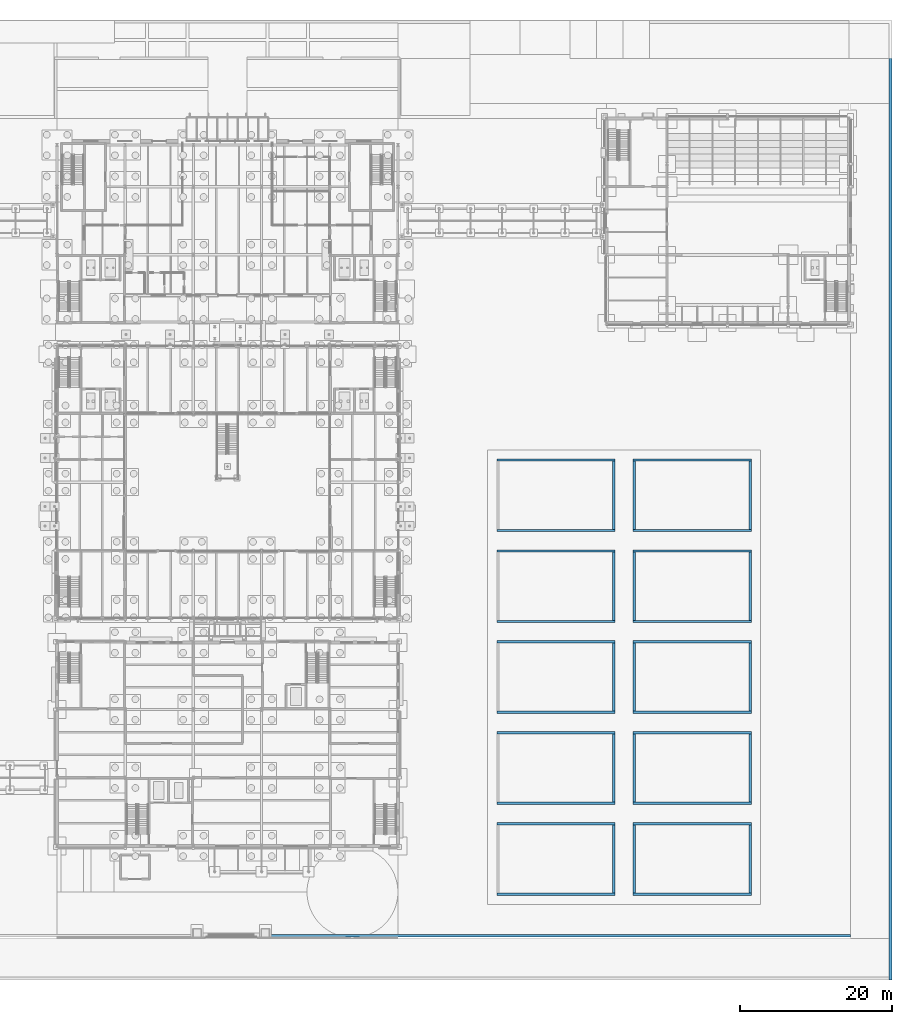
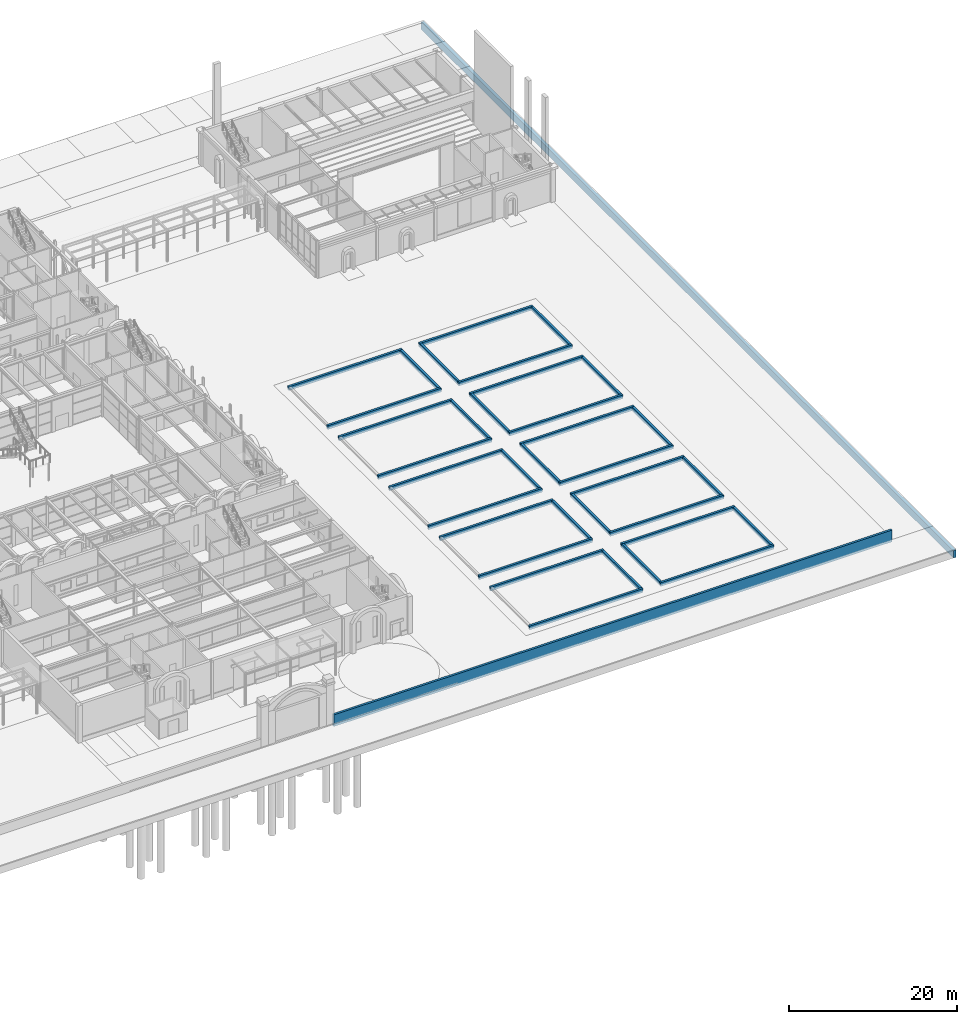
# One storey, part 83 of 126: 37 walls.
"""IFC4 building model written with IfcOpenShell, lengths in metres."""

from ifc_helpers import new_model, si_unit, direction, frame, frame_2d, origin, place, context, subcontext, project, spatial, rectangle, extrude, material, layer, layer_set, type_object, element, save


model = new_model("IFC4")

# Units and contexts
model_context = context("Model", 3, precision=1e-05, world=origin(), true_north=direction((0.0, 1.0)))
body_context = subcontext(model_context, "Body", "Model", "MODEL_VIEW")
ifc_project = project(units=[si_unit("LENGTHUNIT", "METRE"), si_unit("AREAUNIT", "SQUARE_METRE"), si_unit("VOLUMEUNIT", "CUBIC_METRE"), si_unit("PLANEANGLEUNIT", "RADIAN"), si_unit("MASSUNIT", "GRAM", prefix="KILO")], contexts=[model_context])

# Site, building, storey
site_placement = place(None, origin())
site = spatial("IfcSite", under=ifc_project, at=site_placement, CompositionType="ELEMENT")
building_placement = place(site_placement, origin())
building = spatial("IfcBuilding", under=site, at=building_placement, Name="Kallimachos Central Library", CompositionType="ELEMENT")
storey_placement = place(building_placement, origin())
storey = spatial("IfcBuildingStorey", under=building, at=storey_placement, Name="L00", CompositionType="ELEMENT", Elevation=0.0)

# Walls
ifc_material_1 = material(Name="Pentelic marble masonry", Category="masonry")
ifc_layer_1 = layer(ifc_material_1, 0.300048828125)
ifc_layer_set_1 = layer_set([ifc_layer_1], Name="Boundary stone wall 300")
wall_type_1 = type_object("IfcWallType", Name="Boundary stone wall 300", PredefinedType="SOLIDWALL", material=ifc_layer_set_1)
wall_1_placement = place(storey_placement, frame((93.5, 6.14990234375, -0.5), z_axis=(0.0, 0.0, 1.0), x_axis=(1.0, 0.0, 0.0)))
element("IfcWall", 1, at=wall_1_placement, inside=storey, type_object=wall_type_1, Name="South street wall", PredefinedType="SOLIDWALL", context=body_context, shape_type="SweptSolid", body=[
    extrude(rectangle(XDim=76.699951171875, YDim=0.300048828125, at=frame_2d((38.35009765625, 0.0))), origin(), (0.0, 0.0, 1.0), 1.699951171875),
])
ifc_material_2 = material(Name="Granite kerb stone", Category="masonry")
ifc_layer_2 = layer(ifc_material_2, 0.300048828125)
ifc_layer_set_2 = layer_set([ifc_layer_2], Name="Granite kerb 300")
wall_type_2 = type_object("IfcWallType", Name="Granite kerb 300", PredefinedType="SOLIDWALL", material=ifc_layer_set_2)
for number, where, z_axis, x_axis, name in (
    (2, (123.550048828125, 11.625, -0.300048828125), (0.0, 0.0, 1.0), (1.0, 0.0, 0.0), "Garden bed kerb south 122-10"),
    (3, (123.550048828125, 20.925048828125, -0.300048828125), (0.0, 0.0, 1.0), (1.0, 0.0, 0.0), "Garden bed kerb north 122-10"),
):
    element("IfcWall", number, at=place(storey_placement, frame(where, z_axis=z_axis, x_axis=x_axis)), inside=storey, type_object=wall_type_2, Name=name, PredefinedType="SOLIDWALL", context=body_context, shape_type="SweptSolid", body=[
        extrude(rectangle(XDim=15.599853515625, YDim=0.300048828125, at=frame_2d((7.7998046875, 0.0))), origin(), (0.0, 0.0, 1.0), 0.550048828125),
    ])
wall_2_placement = place(storey_placement, frame((139.0, 11.77490234375, -0.300048828125), z_axis=(0.0, 0.0, 1.0), x_axis=(0.0, 1.0, 0.0)))
element("IfcWall", 4, at=wall_2_placement, inside=storey, type_object=wall_type_2, Name="Garden bed kerb east 122-10", PredefinedType="SOLIDWALL", context=body_context, shape_type="SweptSolid", body=[
    extrude(rectangle(XDim=9.0, YDim=0.300048828125, at=frame_2d((4.5, 0.0))), origin(), (0.0, 0.0, 1.0), 0.550048828125),
])
for number, where, z_axis, x_axis, name in (
    (5, (123.550048828125, 23.625, -0.300048828125), (0.0, 0.0, 1.0), (1.0, 0.0, 0.0), "Garden bed kerb south 122-22"),
    (6, (123.550048828125, 32.925048828125, -0.300048828125), (0.0, 0.0, 1.0), (1.0, 0.0, 0.0), "Garden bed kerb north 122-22"),
):
    element("IfcWall", number, at=place(storey_placement, frame(where, z_axis=z_axis, x_axis=x_axis)), inside=storey, type_object=wall_type_2, Name=name, PredefinedType="SOLIDWALL", context=body_context, shape_type="SweptSolid", body=[
        extrude(rectangle(XDim=15.599853515625, YDim=0.300048828125, at=frame_2d((7.7998046875, 0.0))), origin(), (0.0, 0.0, 1.0), 0.550048828125),
    ])
wall_3_placement = place(storey_placement, frame((139.0, 23.77490234375, -0.300048828125), z_axis=(0.0, 0.0, 1.0), x_axis=(0.0, 1.0, 0.0)))
element("IfcWall", 7, at=wall_3_placement, inside=storey, type_object=wall_type_2, Name="Garden bed kerb east 122-22", PredefinedType="SOLIDWALL", context=body_context, shape_type="SweptSolid", body=[
    extrude(rectangle(XDim=9.0, YDim=0.300048828125, at=frame_2d((4.5, 0.0))), origin(), (0.0, 0.0, 1.0), 0.550048828125),
])
for number, where, z_axis, x_axis, name in (
    (8, (123.550048828125, 35.625, -0.300048828125), (0.0, 0.0, 1.0), (1.0, 0.0, 0.0), "Garden bed kerb south 122-34"),
    (9, (123.550048828125, 44.925048828125, -0.300048828125), (0.0, 0.0, 1.0), (1.0, 0.0, 0.0), "Garden bed kerb north 122-34"),
):
    element("IfcWall", number, at=place(storey_placement, frame(where, z_axis=z_axis, x_axis=x_axis)), inside=storey, type_object=wall_type_2, Name=name, PredefinedType="SOLIDWALL", context=body_context, shape_type="SweptSolid", body=[
        extrude(rectangle(XDim=15.599853515625, YDim=0.300048828125, at=frame_2d((7.7998046875, 0.0))), origin(), (0.0, 0.0, 1.0), 0.550048828125),
    ])
wall_4_placement = place(storey_placement, frame((139.0, 35.77490234375, -0.300048828125), z_axis=(0.0, 0.0, 1.0), x_axis=(0.0, 1.0, 0.0)))
element("IfcWall", 10, at=wall_4_placement, inside=storey, type_object=wall_type_2, Name="Garden bed kerb east 122-34", PredefinedType="SOLIDWALL", context=body_context, shape_type="SweptSolid", body=[
    extrude(rectangle(XDim=9.0, YDim=0.300048828125, at=frame_2d((4.5, 0.0))), origin(), (0.0, 0.0, 1.0), 0.550048828125),
])
for number, where, z_axis, x_axis, name in (
    (11, (123.550048828125, 47.625, -0.300048828125), (0.0, 0.0, 1.0), (1.0, 0.0, 0.0), "Garden bed kerb south 122-46"),
    (12, (123.550048828125, 56.925048828125, -0.300048828125), (0.0, 0.0, 1.0), (1.0, 0.0, 0.0), "Garden bed kerb north 122-46"),
):
    element("IfcWall", number, at=place(storey_placement, frame(where, z_axis=z_axis, x_axis=x_axis)), inside=storey, type_object=wall_type_2, Name=name, PredefinedType="SOLIDWALL", context=body_context, shape_type="SweptSolid", body=[
        extrude(rectangle(XDim=15.599853515625, YDim=0.300048828125, at=frame_2d((7.7998046875, 0.0))), origin(), (0.0, 0.0, 1.0), 0.550048828125),
    ])
wall_5_placement = place(storey_placement, frame((139.0, 47.77490234375, -0.300048828125), z_axis=(0.0, 0.0, 1.0), x_axis=(0.0, 1.0, 0.0)))
element("IfcWall", 13, at=wall_5_placement, inside=storey, type_object=wall_type_2, Name="Garden bed kerb east 122-46", PredefinedType="SOLIDWALL", context=body_context, shape_type="SweptSolid", body=[
    extrude(rectangle(XDim=9.0, YDim=0.300048828125, at=frame_2d((4.5, 0.0))), origin(), (0.0, 0.0, 1.0), 0.550048828125),
])
for number, where, z_axis, x_axis, name in (
    (14, (123.550048828125, 59.625, -0.300048828125), (0.0, 0.0, 1.0), (1.0, 0.0, 0.0), "Garden bed kerb south 122-58"),
    (15, (123.550048828125, 68.925048828125, -0.300048828125), (0.0, 0.0, 1.0), (1.0, 0.0, 0.0), "Garden bed kerb north 122-58"),
):
    element("IfcWall", number, at=place(storey_placement, frame(where, z_axis=z_axis, x_axis=x_axis)), inside=storey, type_object=wall_type_2, Name=name, PredefinedType="SOLIDWALL", context=body_context, shape_type="SweptSolid", body=[
        extrude(rectangle(XDim=15.599853515625, YDim=0.300048828125, at=frame_2d((7.7998046875, 0.0))), origin(), (0.0, 0.0, 1.0), 0.550048828125),
    ])
wall_6_placement = place(storey_placement, frame((139.0, 59.77490234375, -0.300048828125), z_axis=(0.0, 0.0, 1.0), x_axis=(0.0, 1.0, 0.0)))
element("IfcWall", 16, at=wall_6_placement, inside=storey, type_object=wall_type_2, Name="Garden bed kerb east 122-58", PredefinedType="SOLIDWALL", context=body_context, shape_type="SweptSolid", body=[
    extrude(rectangle(XDim=9.0, YDim=0.300048828125, at=frame_2d((4.5, 0.0))), origin(), (0.0, 0.0, 1.0), 0.550048828125),
])
for number, where, z_axis, x_axis, name in (
    (17, (141.550048828125, 11.625, -0.300048828125), (0.0, 0.0, 1.0), (1.0, 0.0, 0.0), "Garden bed kerb south 140-10"),
    (18, (141.550048828125, 20.925048828125, -0.300048828125), (0.0, 0.0, 1.0), (1.0, 0.0, 0.0), "Garden bed kerb north 140-10"),
):
    element("IfcWall", number, at=place(storey_placement, frame(where, z_axis=z_axis, x_axis=x_axis)), inside=storey, type_object=wall_type_2, Name=name, PredefinedType="SOLIDWALL", context=body_context, shape_type="SweptSolid", body=[
        extrude(rectangle(XDim=15.599853515625, YDim=0.300048828125, at=frame_2d((7.7998046875, 0.0))), origin(), (0.0, 0.0, 1.0), 0.550048828125),
    ])
for number, where, z_axis, x_axis, name in (
    (19, (141.699951171875, 11.77490234375, -0.300048828125), (0.0, 0.0, 1.0), (0.0, 1.0, 0.0), "Garden bed kerb west 140-10"),
    (20, (157.0, 11.77490234375, -0.300048828125), (0.0, 0.0, 1.0), (0.0, 1.0, 0.0), "Garden bed kerb east 140-10"),
):
    element("IfcWall", number, at=place(storey_placement, frame(where, z_axis=z_axis, x_axis=x_axis)), inside=storey, type_object=wall_type_2, Name=name, PredefinedType="SOLIDWALL", context=body_context, shape_type="SweptSolid", body=[
        extrude(rectangle(XDim=9.0, YDim=0.300048828125, at=frame_2d((4.5, 0.0))), origin(), (0.0, 0.0, 1.0), 0.550048828125),
    ])
for number, where, z_axis, x_axis, name in (
    (21, (141.550048828125, 23.625, -0.300048828125), (0.0, 0.0, 1.0), (1.0, 0.0, 0.0), "Garden bed kerb south 140-22"),
    (22, (141.550048828125, 32.925048828125, -0.300048828125), (0.0, 0.0, 1.0), (1.0, 0.0, 0.0), "Garden bed kerb north 140-22"),
):
    element("IfcWall", number, at=place(storey_placement, frame(where, z_axis=z_axis, x_axis=x_axis)), inside=storey, type_object=wall_type_2, Name=name, PredefinedType="SOLIDWALL", context=body_context, shape_type="SweptSolid", body=[
        extrude(rectangle(XDim=15.599853515625, YDim=0.300048828125, at=frame_2d((7.7998046875, 0.0))), origin(), (0.0, 0.0, 1.0), 0.550048828125),
    ])
for number, where, z_axis, x_axis, name in (
    (23, (141.699951171875, 23.77490234375, -0.300048828125), (0.0, 0.0, 1.0), (0.0, 1.0, 0.0), "Garden bed kerb west 140-22"),
    (24, (157.0, 23.77490234375, -0.300048828125), (0.0, 0.0, 1.0), (0.0, 1.0, 0.0), "Garden bed kerb east 140-22"),
):
    element("IfcWall", number, at=place(storey_placement, frame(where, z_axis=z_axis, x_axis=x_axis)), inside=storey, type_object=wall_type_2, Name=name, PredefinedType="SOLIDWALL", context=body_context, shape_type="SweptSolid", body=[
        extrude(rectangle(XDim=9.0, YDim=0.300048828125, at=frame_2d((4.5, 0.0))), origin(), (0.0, 0.0, 1.0), 0.550048828125),
    ])
for number, where, z_axis, x_axis, name in (
    (25, (141.550048828125, 35.625, -0.300048828125), (0.0, 0.0, 1.0), (1.0, 0.0, 0.0), "Garden bed kerb south 140-34"),
    (26, (141.550048828125, 44.925048828125, -0.300048828125), (0.0, 0.0, 1.0), (1.0, 0.0, 0.0), "Garden bed kerb north 140-34"),
):
    element("IfcWall", number, at=place(storey_placement, frame(where, z_axis=z_axis, x_axis=x_axis)), inside=storey, type_object=wall_type_2, Name=name, PredefinedType="SOLIDWALL", context=body_context, shape_type="SweptSolid", body=[
        extrude(rectangle(XDim=15.599853515625, YDim=0.300048828125, at=frame_2d((7.7998046875, 0.0))), origin(), (0.0, 0.0, 1.0), 0.550048828125),
    ])
for number, where, z_axis, x_axis, name in (
    (27, (141.699951171875, 35.77490234375, -0.300048828125), (0.0, 0.0, 1.0), (0.0, 1.0, 0.0), "Garden bed kerb west 140-34"),
    (28, (157.0, 35.77490234375, -0.300048828125), (0.0, 0.0, 1.0), (0.0, 1.0, 0.0), "Garden bed kerb east 140-34"),
):
    element("IfcWall", number, at=place(storey_placement, frame(where, z_axis=z_axis, x_axis=x_axis)), inside=storey, type_object=wall_type_2, Name=name, PredefinedType="SOLIDWALL", context=body_context, shape_type="SweptSolid", body=[
        extrude(rectangle(XDim=9.0, YDim=0.300048828125, at=frame_2d((4.5, 0.0))), origin(), (0.0, 0.0, 1.0), 0.550048828125),
    ])
for number, where, z_axis, x_axis, name in (
    (29, (141.550048828125, 47.625, -0.300048828125), (0.0, 0.0, 1.0), (1.0, 0.0, 0.0), "Garden bed kerb south 140-46"),
    (30, (141.550048828125, 56.925048828125, -0.300048828125), (0.0, 0.0, 1.0), (1.0, 0.0, 0.0), "Garden bed kerb north 140-46"),
):
    element("IfcWall", number, at=place(storey_placement, frame(where, z_axis=z_axis, x_axis=x_axis)), inside=storey, type_object=wall_type_2, Name=name, PredefinedType="SOLIDWALL", context=body_context, shape_type="SweptSolid", body=[
        extrude(rectangle(XDim=15.599853515625, YDim=0.300048828125, at=frame_2d((7.7998046875, 0.0))), origin(), (0.0, 0.0, 1.0), 0.550048828125),
    ])
for number, where, z_axis, x_axis, name in (
    (31, (141.699951171875, 47.77490234375, -0.300048828125), (0.0, 0.0, 1.0), (0.0, 1.0, 0.0), "Garden bed kerb west 140-46"),
    (32, (157.0, 47.77490234375, -0.300048828125), (0.0, 0.0, 1.0), (0.0, 1.0, 0.0), "Garden bed kerb east 140-46"),
):
    element("IfcWall", number, at=place(storey_placement, frame(where, z_axis=z_axis, x_axis=x_axis)), inside=storey, type_object=wall_type_2, Name=name, PredefinedType="SOLIDWALL", context=body_context, shape_type="SweptSolid", body=[
        extrude(rectangle(XDim=9.0, YDim=0.300048828125, at=frame_2d((4.5, 0.0))), origin(), (0.0, 0.0, 1.0), 0.550048828125),
    ])
for number, where, z_axis, x_axis, name in (
    (33, (141.550048828125, 59.625, -0.300048828125), (0.0, 0.0, 1.0), (1.0, 0.0, 0.0), "Garden bed kerb south 140-58"),
    (34, (141.550048828125, 68.925048828125, -0.300048828125), (0.0, 0.0, 1.0), (1.0, 0.0, 0.0), "Garden bed kerb north 140-58"),
):
    element("IfcWall", number, at=place(storey_placement, frame(where, z_axis=z_axis, x_axis=x_axis)), inside=storey, type_object=wall_type_2, Name=name, PredefinedType="SOLIDWALL", context=body_context, shape_type="SweptSolid", body=[
        extrude(rectangle(XDim=15.599853515625, YDim=0.300048828125, at=frame_2d((7.7998046875, 0.0))), origin(), (0.0, 0.0, 1.0), 0.550048828125),
    ])
for number, where, z_axis, x_axis, name in (
    (35, (141.699951171875, 59.77490234375, -0.300048828125), (0.0, 0.0, 1.0), (0.0, 1.0, 0.0), "Garden bed kerb west 140-58"),
    (36, (157.0, 59.77490234375, -0.300048828125), (0.0, 0.0, 1.0), (0.0, 1.0, 0.0), "Garden bed kerb east 140-58"),
):
    element("IfcWall", number, at=place(storey_placement, frame(where, z_axis=z_axis, x_axis=x_axis)), inside=storey, type_object=wall_type_2, Name=name, PredefinedType="SOLIDWALL", context=body_context, shape_type="SweptSolid", body=[
        extrude(rectangle(XDim=9.0, YDim=0.300048828125, at=frame_2d((4.5, 0.0))), origin(), (0.0, 0.0, 1.0), 0.550048828125),
    ])
ifc_material_3 = material(Name="Concrete C30/37", Category="concrete")
ifc_layer_3 = layer(ifc_material_3, 0.39990234375)
ifc_layer_set_3 = layer_set([ifc_layer_3], Name="Plinth skirt wall 400")
wall_type_3 = type_object("IfcWallType", Name="Plinth skirt wall 400", PredefinedType="SOLIDWALL", material=ifc_layer_set_3)
wall_7_placement = place(storey_placement, frame((175.5, 0.300048828125, -1.199951171875), z_axis=(0.0, 0.0, 1.0), x_axis=(0.0, 1.0, 0.0)))
element("IfcWall", 37, at=wall_7_placement, inside=storey, type_object=wall_type_3, Name="Plinth skirt East", PredefinedType="SOLIDWALL", context=body_context, shape_type="SweptSolid", body=[
    extrude(rectangle(XDim=126.64990234375, YDim=0.39990234375, at=frame_2d((63.324951171875, 0.0))), origin(), (0.0, 0.0, 1.0), 1.050048828125),
])

save(model, "model.ifc")
